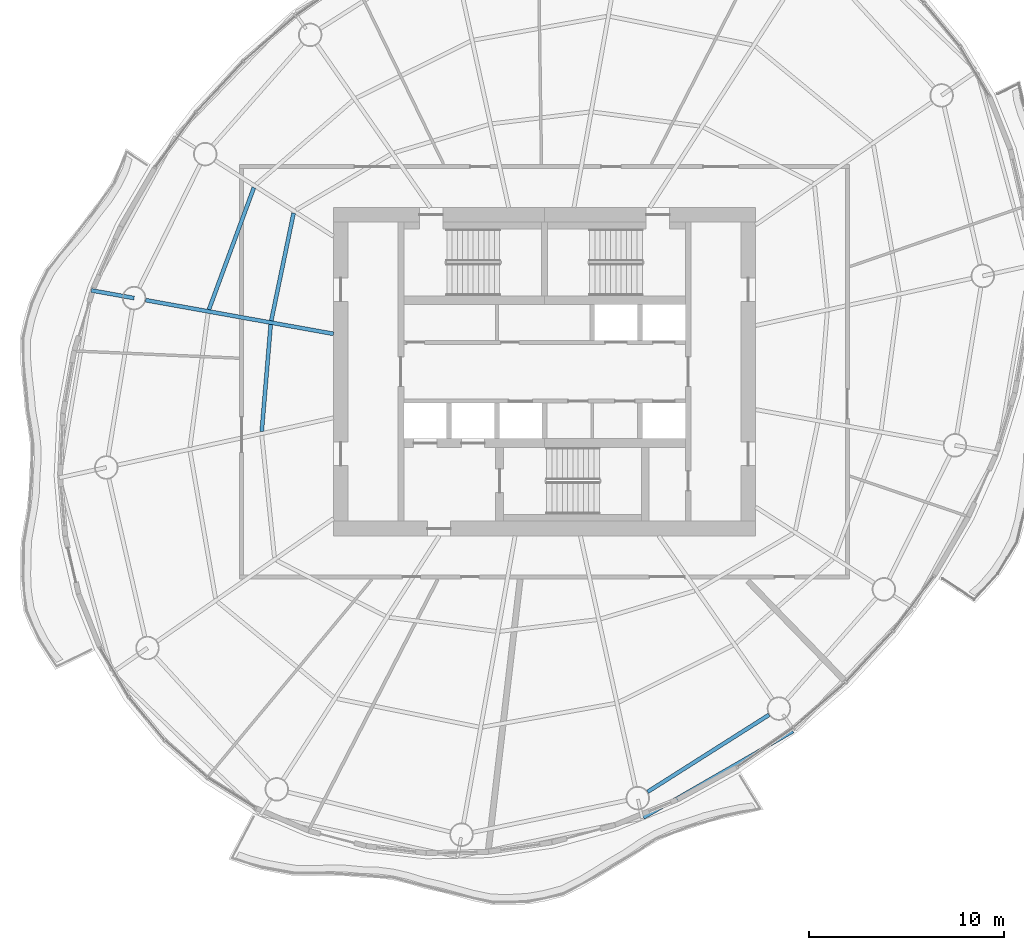
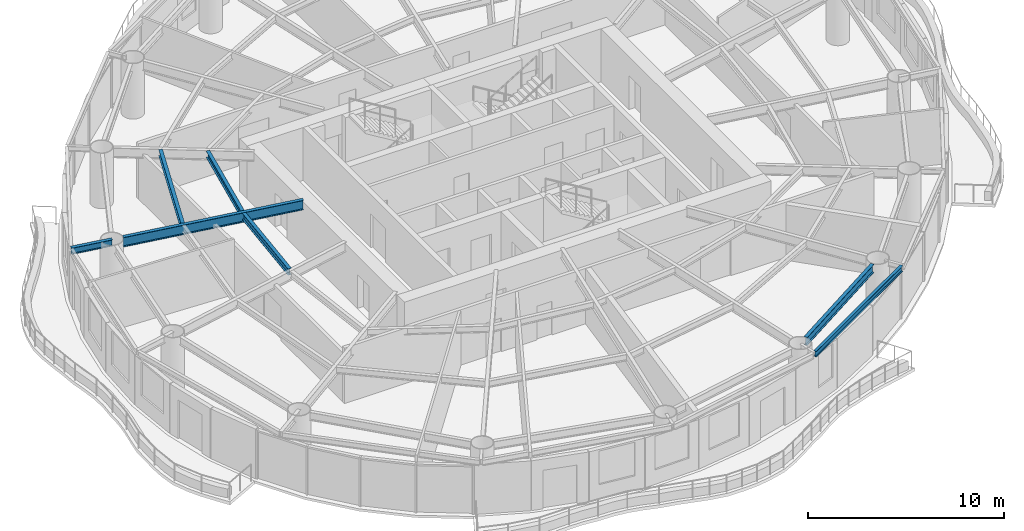
# One storey, part 3 of 14: 7 beams.
"""IFC4 building model written with IfcOpenShell, lengths in metres."""

from ifc_helpers import new_model, si_unit, direction, frame, origin, origin_2d, place, context, subcontext, project, spatial, i_section, extrude, material, material_profile, profile_set, type_object, element, save


model = new_model("IFC4")

# Units and contexts
model_context = context("Model", 3, precision=1e-05, world=origin(), true_north=direction((0.0, 1.0)))
body_context = subcontext(model_context, "Body", "Model", "MODEL_VIEW")
ifc_project = project(units=[si_unit("LENGTHUNIT", "METRE"), si_unit("AREAUNIT", "SQUARE_METRE"), si_unit("VOLUMEUNIT", "CUBIC_METRE"), si_unit("PLANEANGLEUNIT", "RADIAN"), si_unit("MASSUNIT", "GRAM", prefix="KILO")], contexts=[model_context])

# Site, building, storey
site_placement = place(None, origin())
site = spatial("IfcSite", under=ifc_project, at=site_placement, CompositionType="ELEMENT")
building_placement = place(site_placement, origin())
building = spatial("IfcBuilding", under=site, at=building_placement, Name="Vermilion Reach Broadcast Tower", CompositionType="ELEMENT")
storey_placement = place(building_placement, frame((0.0, 0.0, 210.10009765625)))
storey = spatial("IfcBuildingStorey", under=building, at=storey_placement, Name="L51", CompositionType="ELEMENT", Elevation=210.10009765625)

# Beams
ifc_material_1 = material(Name="Steel S355J2", Category="steel")
ifc_material_profile_1 = material_profile(ifc_material_1, i_section(OverallWidth=0.175048828125, OverallDepth=0.35009765625, WebThickness=0.007080078125, FlangeThickness=0.010986328125, at=origin_2d()), Name="S355J2 HN 350x175x7x11")
ifc_profile_set_1 = profile_set([ifc_material_profile_1], Name="Steel S355J2")
beam_type_1 = type_object("IfcBeamType", Name="EB4 HN 350x175x7x11", PredefinedType="BEAM", material=ifc_profile_set_1)
beam_1_placement = place(storey_placement, frame((-0.935546875, -22.81787109375, 3.27490234375), z_axis=(0.866108719217, 0.499855665663, 0.0), x_axis=(-0.499855665663, 0.866108719217, 0.0)))
element("IfcBeam", 1, at=beam_1_placement, inside=storey, type_object=beam_type_1, Name="Edge beam EB4-11", PredefinedType="BEAM", context=body_context, shape_type="SweptSolid", body=[
    extrude(i_section(OverallWidth=0.175048828125, OverallDepth=0.35009765625, WebThickness=0.007080078125, FlangeThickness=0.010986328125, at=origin_2d()), origin(), (0.0, 0.0, 1.0), 8.83154296875),
])
ifc_material_2 = material(Name="Steel S355J2", Category="steel")
ifc_material_profile_2 = material_profile(ifc_material_2, i_section(OverallWidth=0.199951171875, OverallDepth=0.60009765625, WebThickness=0.010986328125, FlangeThickness=0.01708984375, at=origin_2d()), Name="S355J2 HN 600x200x11x17")
ifc_profile_set_2 = profile_set([ifc_material_profile_2], Name="Steel S355J2")
beam_type_2 = type_object("IfcBeamType", Name="G4 HN 600x200x11x17", PredefinedType="BEAM", material=ifc_profile_set_2)
beam_2_placement = place(storey_placement, frame((-16.800048828125, 1.9375, 3.14990234375), z_axis=(-0.984291153273, 0.176552897422, 0.0), x_axis=(-0.176552897422, -0.984291153273, 0.0)))
element("IfcBeam", 2, at=beam_2_placement, inside=storey, type_object=beam_type_2, Name="Girder G4-06", PredefinedType="BEAM", context=body_context, shape_type="SweptSolid", body=[
    extrude(i_section(OverallWidth=0.199951171875, OverallDepth=0.60009765625, WebThickness=0.010986328125, FlangeThickness=0.01708984375, at=origin_2d()), origin(), (0.0, 0.0, 1.0), 9.765380859375),
])
ifc_material_3 = material(Name="Steel S355J2", Category="steel")
ifc_material_profile_3 = material_profile(ifc_material_3, i_section(OverallWidth=0.199951171875, OverallDepth=0.39990234375, WebThickness=0.008056640625, FlangeThickness=0.012939453125, at=origin_2d()), Name="S355J2 HN 400x200x8x13")
ifc_profile_set_3 = profile_set([ifc_material_profile_3], Name="Steel S355J2")
beam_type_3 = type_object("IfcBeamType", Name="GC4 HN 400x200x8x13", PredefinedType="BEAM", material=ifc_profile_set_3)
beam_3_placement = place(storey_placement, frame((-27.002685546875, 3.767578125, 3.25), z_axis=(-0.984275125044, 0.176642232262, 0.0), x_axis=(-0.176642232262, -0.984275125044, 0.0)))
element("IfcBeam", 3, at=beam_3_placement, inside=storey, type_object=beam_type_3, Name="Cantilever girder GC4-06", PredefinedType="BEAM", context=body_context, shape_type="SweptSolid", body=[
    extrude(i_section(OverallWidth=0.199951171875, OverallDepth=0.39990234375, WebThickness=0.008056640625, FlangeThickness=0.012939453125, at=origin_2d()), origin(), (0.0, 0.0, 1.0), 2.222412109375),
])
ifc_material_4 = material(Name="Steel S355J2", Category="steel")
ifc_material_profile_4 = material_profile(ifc_material_4, i_section(OverallWidth=0.199951171875, OverallDepth=0.5, WebThickness=0.010009765625, FlangeThickness=0.01611328125, at=origin_2d()), Name="S355J2 HN 500x200x10x16")
ifc_profile_set_4 = profile_set([ifc_material_profile_4], Name="Steel S355J2")
beam_type_4 = type_object("IfcBeamType", Name="RB4 HN 500x200x10x16", PredefinedType="BEAM", material=ifc_profile_set_4)
beam_4_placement = place(storey_placement, frame((-0.72412109375, -21.497314453125, 3.199951171875), z_axis=(0.84446426774, 0.535611893549, 0.0), x_axis=(-0.535611893549, 0.84446426774, 0.0)))
element("IfcBeam", 4, at=beam_4_placement, inside=storey, type_object=beam_type_4, Name="Ring beam RB4-11", PredefinedType="BEAM", context=body_context, shape_type="SweptSolid", body=[
    extrude(i_section(OverallWidth=0.199951171875, OverallDepth=0.5, WebThickness=0.010009765625, FlangeThickness=0.01611328125, at=origin_2d()), origin(), (0.0, 0.0, 1.0), 7.3544921875),
])
ifc_material_5 = material(Name="Steel S355J2", Category="steel")
ifc_material_profile_5 = material_profile(ifc_material_5, i_section(OverallWidth=0.199951171875, OverallDepth=0.39990234375, WebThickness=0.008056640625, FlangeThickness=0.012939453125, at=origin_2d()), Name="S355J2 HN 400x200x8x13")
ifc_profile_set_5 = profile_set([ifc_material_profile_5], Name="Steel S355J2")
beam_type_5 = type_object("IfcBeamType", Name="SB4 HN 400x200x8x13", PredefinedType="BEAM", material=ifc_profile_set_5)
beam_5_placement = place(storey_placement, frame((-18.841064453125, 8.115478515625, 3.25), z_axis=(-0.20320860258, -0.979135467562, 0.0), x_axis=(0.979135467562, -0.20320860258, 0.0)))
element("IfcBeam", 5, at=beam_5_placement, inside=storey, type_object=beam_type_5, Name="Secondary beam SB4-05-1", PredefinedType="BEAM", context=body_context, shape_type="SweptSolid", body=[
    extrude(i_section(OverallWidth=0.199951171875, OverallDepth=0.39990234375, WebThickness=0.008056640625, FlangeThickness=0.012939453125, at=origin_2d()), origin(), (0.0, 0.0, 1.0), 5.622802734375),
])
beam_6_placement = place(storey_placement, frame((-20.8740234375, 9.419189453125, 3.25), z_axis=(-0.345833008621, -0.938296078084, 0.0), x_axis=(0.938296078084, -0.345833008621, 0.0)))
element("IfcBeam", 6, at=beam_6_placement, inside=storey, type_object=beam_type_5, Name="Secondary beam SB4-05-2", PredefinedType="BEAM", context=body_context, shape_type="SweptSolid", body=[
    extrude(i_section(OverallWidth=0.199951171875, OverallDepth=0.39990234375, WebThickness=0.008056640625, FlangeThickness=0.012939453125, at=origin_2d()), origin(), (0.0, 0.0, 1.0), 6.647216796875),
])
beam_7_placement = place(storey_placement, frame((-20.012451171875, 2.412109375, 3.25), z_axis=(-0.08339866655, -0.996516262997, 0.0), x_axis=(0.996516262997, -0.08339866655, 0.0)))
element("IfcBeam", 7, at=beam_7_placement, inside=storey, type_object=beam_type_5, Name="Secondary beam SB4-06-1", PredefinedType="BEAM", context=body_context, shape_type="SweptSolid", body=[
    extrude(i_section(OverallWidth=0.199951171875, OverallDepth=0.39990234375, WebThickness=0.008056640625, FlangeThickness=0.012939453125, at=origin_2d()), origin(), (0.0, 0.0, 1.0), 5.49169921875),
])

save(model, "model.ifc")
